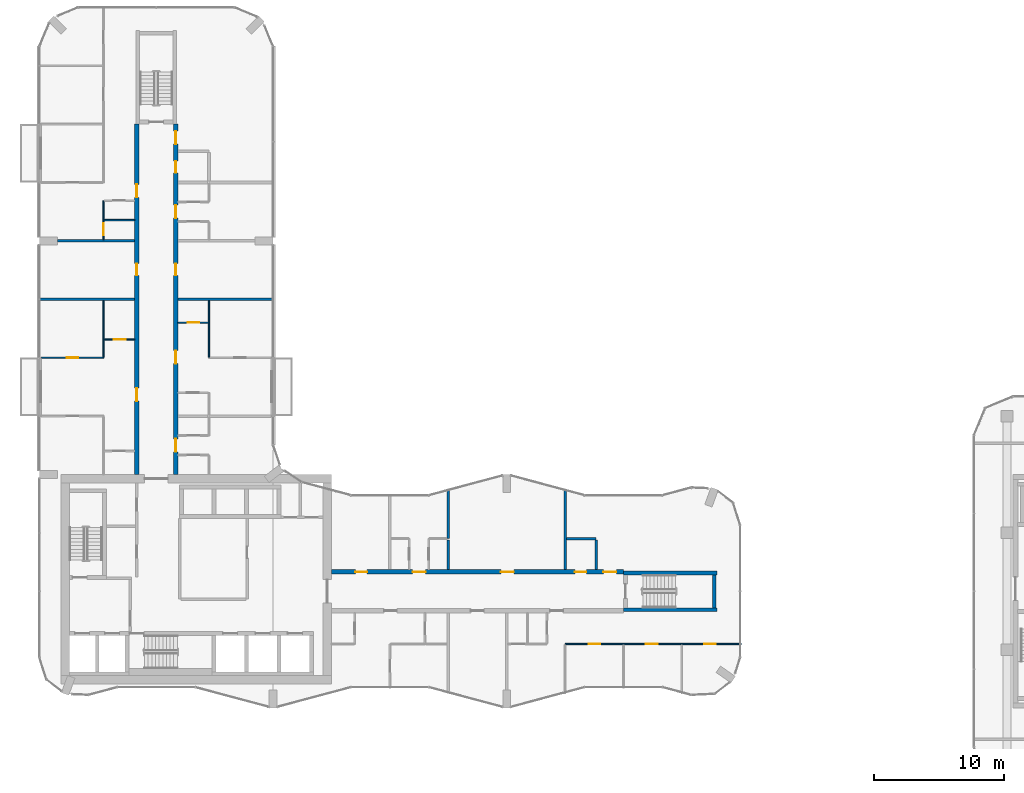
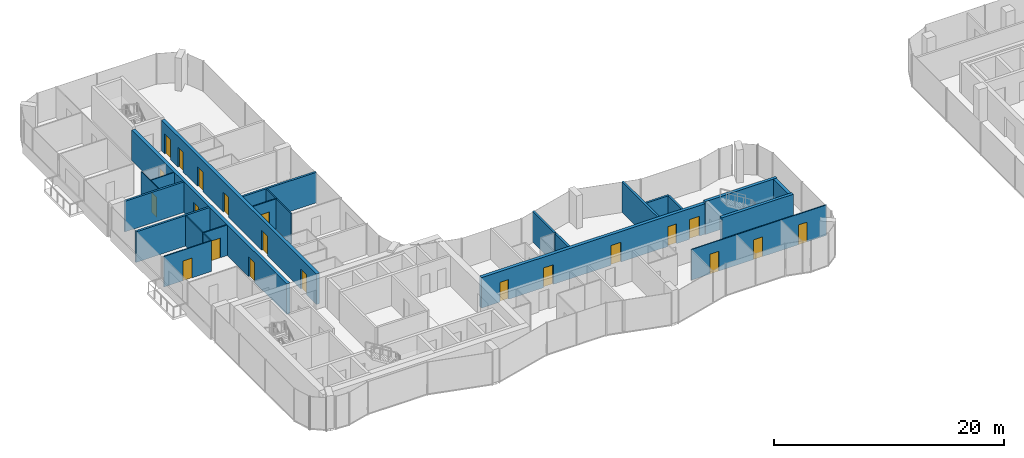
# One storey, part 15 of 22: 24 walls, 21 doors, 21 openings.
"""IFC4 building model written with IfcOpenShell, lengths in metres."""

from ifc_helpers import new_model, si_unit, direction, frame, frame_2d, origin, place, context, subcontext, project, spatial, rectangle, extrude, material, layer, layer_set, type_object, element, fill, save


model = new_model("IFC4")

# Units and contexts
model_context = context("Model", 3, precision=1e-05, world=origin(), true_north=direction((0.0, 1.0)))
body_context = subcontext(model_context, "Body", "Model", "MODEL_VIEW")
ifc_project = project(units=[si_unit("LENGTHUNIT", "METRE"), si_unit("AREAUNIT", "SQUARE_METRE"), si_unit("VOLUMEUNIT", "CUBIC_METRE"), si_unit("PLANEANGLEUNIT", "RADIAN"), si_unit("MASSUNIT", "GRAM", prefix="KILO")], contexts=[model_context])

# Site, building, storey
site_placement = place(None, origin())
site = spatial("IfcSite", under=ifc_project, at=site_placement, CompositionType="ELEMENT")
building_placement = place(site_placement, origin())
building = spatial("IfcBuilding", under=site, at=building_placement, Name="Plateau Cross Towers", CompositionType="ELEMENT")
storey_placement = place(building_placement, frame((0.0, 0.0, 113.300048828125)))
storey = spatial("IfcBuildingStorey", under=building, at=storey_placement, Name="L29", CompositionType="ELEMENT", Elevation=113.300048828125)

# Wall, openings, doors
ifc_material_1 = material(Name="Concrete C60/75", Category="concrete")
ifc_layer_1 = layer(ifc_material_1, 0.324951171875)
ifc_layer_set_1 = layer_set([ifc_layer_1], Name="Concrete C60/75")
wall_type_1 = type_object("IfcWallType", Name="Corridor wall 325", PredefinedType="SHEAR", material=ifc_layer_set_1)
wall_1_placement = place(storey_placement, frame((22.5, 10.5, 0.0), z_axis=(0.0, 0.0, 1.0), x_axis=(1.0, 0.0, 0.0)))
wall_1 = element("IfcWall", 1, at=wall_1_placement, inside=storey, type_object=wall_type_1, Name="A-cw-S2@L29", PredefinedType="SHEAR", context=body_context, shape_type="SweptSolid", body=[
    extrude(rectangle(XDim=22.5, YDim=0.324951171875, at=frame_2d((11.25, 0.0))), origin(), (0.0, 0.0, 1.0), 3.25),
])
opening_1_placement = place(wall_1_placement, frame((1.85009765625, 0.0, 0.0)))
opening_1 = element("IfcOpeningElement", 2, at=opening_1_placement, cuts=wall_1, Name="Opening 29-04", PredefinedType="OPENING", context=body_context, shape_type="SweptSolid", body=[
    extrude(rectangle(XDim=0.89990234375, YDim=2.10009765625, at=frame_2d((0.449951171875, 1.050048828125))), frame((0.0, 0.17236328125, 0.0), z_axis=(0.0, -1.0, 0.0), x_axis=(1.0, 0.0, 0.0)), (0.0, 0.0, 1.0), 0.344970703125),
])
opening_2_placement = place(wall_1_placement, frame((6.25, 0.0, 0.0)))
opening_2 = element("IfcOpeningElement", 3, at=opening_2_placement, cuts=wall_1, Name="Opening 29-05", PredefinedType="OPENING", context=body_context, shape_type="SweptSolid", body=[
    extrude(rectangle(XDim=1.0, YDim=2.10009765625, at=frame_2d((0.5, 1.050048828125))), frame((0.0, 0.17236328125, 0.0), z_axis=(0.0, -1.0, 0.0), x_axis=(1.0, 0.0, 0.0)), (0.0, 0.0, 1.0), 0.344970703125),
])
opening_3_placement = place(wall_1_placement, frame((13.050048828125, 0.0, 0.0)))
opening_3 = element("IfcOpeningElement", 4, at=opening_3_placement, cuts=wall_1, Name="Opening 29-06", PredefinedType="OPENING", context=body_context, shape_type="SweptSolid", body=[
    extrude(rectangle(XDim=1.0, YDim=2.10009765625, at=frame_2d((0.5, 1.050048828125))), frame((0.0, 0.17236328125, 0.0), z_axis=(0.0, -1.0, 0.0), x_axis=(1.0, 0.0, 0.0)), (0.0, 0.0, 1.0), 0.344970703125),
])
opening_4_placement = place(wall_1_placement, frame((18.75, 0.0, 0.0)))
opening_4 = element("IfcOpeningElement", 5, at=opening_4_placement, cuts=wall_1, Name="Opening 29-07", PredefinedType="OPENING", context=body_context, shape_type="SweptSolid", body=[
    extrude(rectangle(XDim=0.89990234375, YDim=2.10009765625, at=frame_2d((0.449951171875, 1.050048828125))), frame((0.0, 0.17236328125, 0.0), z_axis=(0.0, -1.0, 0.0), x_axis=(1.0, 0.0, 0.0)), (0.0, 0.0, 1.0), 0.344970703125),
])
opening_5_placement = place(wall_1_placement, frame((20.949951171875, 0.0, 0.0)))
opening_5 = element("IfcOpeningElement", 6, at=opening_5_placement, cuts=wall_1, Name="Opening 29-08", PredefinedType="OPENING", context=body_context, shape_type="SweptSolid", body=[
    extrude(rectangle(XDim=1.0, YDim=2.10009765625, at=frame_2d((0.5, 1.050048828125))), frame((0.0, 0.17236328125, 0.0), z_axis=(0.0, -1.0, 0.0), x_axis=(1.0, 0.0, 0.0)), (0.0, 0.0, 1.0), 0.344970703125),
])
ifc_material_2 = material(Name="Timber, fire-resisting leaf", Category="wood")
door_type_1 = type_object("IfcDoorType", Name="Flat entrance door 1000", OperationType="NOTDEFINED", PredefinedType="DOOR", material=ifc_material_2)
door_1_placement = place(opening_2_placement, origin())
door_1 = element("IfcDoor", 7, at=door_1_placement, inside=storey, type_object=door_type_1, Name="Door 29-05", OperationType="SINGLE_SWING_LEFT", OverallHeight=2.10009765625, OverallWidth=1.0, PredefinedType="DOOR", context=body_context, shape_type="SweptSolid", body=[
    extrude(rectangle(XDim=1.0, YDim=2.10009765625, at=frame_2d((0.5, 1.050048828125))), frame((0.0, 0.02490234375, 0.0), z_axis=(0.0, -1.0, 0.0), x_axis=(1.0, 0.0, 0.0)), (0.0, 0.0, 1.0), 0.050048828125),
])
fill(opening_2, door_1)
door_2_placement = place(opening_3_placement, origin())
door_2 = element("IfcDoor", 8, at=door_2_placement, inside=storey, type_object=door_type_1, Name="Door 29-06", OperationType="SINGLE_SWING_RIGHT", OverallHeight=2.10009765625, OverallWidth=1.0, PredefinedType="DOOR", context=body_context, shape_type="SweptSolid", body=[
    extrude(rectangle(XDim=1.0, YDim=2.10009765625, at=frame_2d((0.5, 1.050048828125))), frame((0.0, 0.02490234375, 0.0), z_axis=(0.0, -1.0, 0.0), x_axis=(1.0, 0.0, 0.0)), (0.0, 0.0, 1.0), 0.050048828125),
])
fill(opening_3, door_2)
door_3_placement = place(opening_5_placement, origin())
door_3 = element("IfcDoor", 9, at=door_3_placement, inside=storey, type_object=door_type_1, Name="Door 29-08", OperationType="SINGLE_SWING_RIGHT", OverallHeight=2.10009765625, OverallWidth=1.0, PredefinedType="DOOR", context=body_context, shape_type="SweptSolid", body=[
    extrude(rectangle(XDim=1.0, YDim=2.10009765625, at=frame_2d((0.5, 1.050048828125))), frame((0.0, 0.02490234375, 0.0), z_axis=(0.0, -1.0, 0.0), x_axis=(1.0, 0.0, 0.0)), (0.0, 0.0, 1.0), 0.050048828125),
])
fill(opening_5, door_3)
door_type_2 = type_object("IfcDoorType", Name="Flat floor service door 900", OperationType="NOTDEFINED", PredefinedType="DOOR", material=ifc_material_2)
door_4_placement = place(opening_1_placement, origin())
door_4 = element("IfcDoor", 10, at=door_4_placement, inside=storey, type_object=door_type_2, Name="Door 29-04", OperationType="SINGLE_SWING_LEFT", OverallHeight=2.10009765625, OverallWidth=0.89990234375, PredefinedType="DOOR", context=body_context, shape_type="SweptSolid", body=[
    extrude(rectangle(XDim=0.89990234375, YDim=2.10009765625, at=frame_2d((0.449951171875, 1.050048828125))), frame((0.0, 0.02490234375, 0.0), z_axis=(0.0, -1.0, 0.0), x_axis=(1.0, 0.0, 0.0)), (0.0, 0.0, 1.0), 0.050048828125),
])
fill(opening_1, door_4)
door_5_placement = place(opening_4_placement, origin())
door_5 = element("IfcDoor", 11, at=door_5_placement, inside=storey, type_object=door_type_2, Name="Door 29-07", OperationType="SINGLE_SWING_RIGHT", OverallHeight=2.10009765625, OverallWidth=0.89990234375, PredefinedType="DOOR", context=body_context, shape_type="SweptSolid", body=[
    extrude(rectangle(XDim=0.89990234375, YDim=2.10009765625, at=frame_2d((0.449951171875, 1.050048828125))), frame((0.0, 0.02490234375, 0.0), z_axis=(0.0, -1.0, 0.0), x_axis=(1.0, 0.0, 0.0)), (0.0, 0.0, 1.0), 0.050048828125),
])
fill(opening_4, door_5)

wall_2_placement = place(storey_placement, frame((7.5, 18.0, 0.0), z_axis=(0.0, 0.0, 1.0), x_axis=(0.0, 1.0, 0.0)))
wall_2 = element("IfcWall", 12, at=wall_2_placement, inside=storey, type_object=wall_type_1, Name="A-cw-W1@L29", PredefinedType="SHEAR", context=body_context, shape_type="SweptSolid", body=[
    extrude(rectangle(XDim=27.0, YDim=0.324951171875, at=frame_2d((13.5, 0.0))), origin(), (0.0, 0.0, 1.0), 3.25),
])
opening_6_placement = place(wall_2_placement, frame((5.64990234375, 0.0, 0.0)))
opening_6 = element("IfcOpeningElement", 13, at=opening_6_placement, cuts=wall_2, Name="Opening 29-09", PredefinedType="OPENING", context=body_context, shape_type="SweptSolid", body=[
    extrude(rectangle(XDim=1.0, YDim=2.10009765625, at=frame_2d((0.5, 1.050048828125))), frame((0.0, 0.17236328125, 0.0), z_axis=(0.0, -1.0, 0.0), x_axis=(1.0, 0.0, 0.0)), (0.0, 0.0, 1.0), 0.344970703125),
])
opening_7_placement = place(wall_2_placement, frame((15.35009765625, 0.0, 0.0)))
opening_7 = element("IfcOpeningElement", 14, at=opening_7_placement, cuts=wall_2, Name="Opening 29-10", PredefinedType="OPENING", context=body_context, shape_type="SweptSolid", body=[
    extrude(rectangle(XDim=0.89990234375, YDim=2.10009765625, at=frame_2d((0.449951171875, 1.050048828125))), frame((0.0, 0.17236328125, 0.0), z_axis=(0.0, -1.0, 0.0), x_axis=(1.0, 0.0, 0.0)), (0.0, 0.0, 1.0), 0.344970703125),
])
opening_8_placement = place(wall_2_placement, frame((21.35009765625, 0.0, 0.0)))
opening_8 = element("IfcOpeningElement", 15, at=opening_8_placement, cuts=wall_2, Name="Opening 29-11", PredefinedType="OPENING", context=body_context, shape_type="SweptSolid", body=[
    extrude(rectangle(XDim=1.0, YDim=2.10009765625, at=frame_2d((0.5, 1.050048828125))), frame((0.0, 0.17236328125, 0.0), z_axis=(0.0, -1.0, 0.0), x_axis=(1.0, 0.0, 0.0)), (0.0, 0.0, 1.0), 0.344970703125),
])
door_6_placement = place(opening_6_placement, origin())
door_6 = element("IfcDoor", 16, at=door_6_placement, inside=storey, type_object=door_type_1, Name="Door 29-09", OperationType="SINGLE_SWING_LEFT", OverallHeight=2.10009765625, OverallWidth=1.0, PredefinedType="DOOR", context=body_context, shape_type="SweptSolid", body=[
    extrude(rectangle(XDim=1.0, YDim=2.10009765625, at=frame_2d((0.5, 1.050048828125))), frame((0.0, 0.02490234375, 0.0), z_axis=(0.0, -1.0, 0.0), x_axis=(1.0, 0.0, 0.0)), (0.0, 0.0, 1.0), 0.050048828125),
])
fill(opening_6, door_6)
door_7_placement = place(opening_8_placement, origin())
door_7 = element("IfcDoor", 17, at=door_7_placement, inside=storey, type_object=door_type_1, Name="Door 29-11", OperationType="SINGLE_SWING_RIGHT", OverallHeight=2.10009765625, OverallWidth=1.0, PredefinedType="DOOR", context=body_context, shape_type="SweptSolid", body=[
    extrude(rectangle(XDim=1.0, YDim=2.10009765625, at=frame_2d((0.5, 1.050048828125))), frame((0.0, 0.02490234375, 0.0), z_axis=(0.0, -1.0, 0.0), x_axis=(1.0, 0.0, 0.0)), (0.0, 0.0, 1.0), 0.050048828125),
])
fill(opening_8, door_7)
door_8_placement = place(opening_7_placement, origin())
door_8 = element("IfcDoor", 18, at=door_8_placement, inside=storey, type_object=door_type_2, Name="Door 29-10", OperationType="SINGLE_SWING_RIGHT", OverallHeight=2.10009765625, OverallWidth=0.89990234375, PredefinedType="DOOR", context=body_context, shape_type="SweptSolid", body=[
    extrude(rectangle(XDim=0.89990234375, YDim=2.10009765625, at=frame_2d((0.449951171875, 1.050048828125))), frame((0.0, 0.02490234375, 0.0), z_axis=(0.0, -1.0, 0.0), x_axis=(1.0, 0.0, 0.0)), (0.0, 0.0, 1.0), 0.050048828125),
])
fill(opening_7, door_8)

wall_3_placement = place(storey_placement, frame((10.5, 18.0, 0.0), z_axis=(0.0, 0.0, 1.0), x_axis=(0.0, 1.0, 0.0)))
wall_3 = element("IfcWall", 19, at=wall_3_placement, inside=storey, type_object=wall_type_1, Name="A-cw-W2@L29", PredefinedType="SHEAR", context=body_context, shape_type="SweptSolid", body=[
    extrude(rectangle(XDim=27.0, YDim=0.324951171875, at=frame_2d((13.5, 0.0))), origin(), (0.0, 0.0, 1.0), 3.25),
])
opening_9_placement = place(wall_3_placement, frame((1.75, 0.0, 0.0)))
opening_9 = element("IfcOpeningElement", 20, at=opening_9_placement, cuts=wall_3, Name="Opening 29-12", PredefinedType="OPENING", context=body_context, shape_type="SweptSolid", body=[
    extrude(rectangle(XDim=1.0, YDim=2.10009765625, at=frame_2d((0.5, 1.050048828125))), frame((0.0, 0.17236328125, 0.0), z_axis=(0.0, -1.0, 0.0), x_axis=(1.0, 0.0, 0.0)), (0.0, 0.0, 1.0), 0.344970703125),
])
opening_10_placement = place(wall_3_placement, frame((8.550048828125, 0.0, 0.0)))
opening_10 = element("IfcOpeningElement", 21, at=opening_10_placement, cuts=wall_3, Name="Opening 29-13", PredefinedType="OPENING", context=body_context, shape_type="SweptSolid", body=[
    extrude(rectangle(XDim=1.0, YDim=2.10009765625, at=frame_2d((0.5, 1.050048828125))), frame((0.0, 0.17236328125, 0.0), z_axis=(0.0, -1.0, 0.0), x_axis=(1.0, 0.0, 0.0)), (0.0, 0.0, 1.0), 0.344970703125),
])
opening_11_placement = place(wall_3_placement, frame((15.35009765625, 0.0, 0.0)))
opening_11 = element("IfcOpeningElement", 22, at=opening_11_placement, cuts=wall_3, Name="Opening 29-14", PredefinedType="OPENING", context=body_context, shape_type="SweptSolid", body=[
    extrude(rectangle(XDim=0.89990234375, YDim=2.10009765625, at=frame_2d((0.449951171875, 1.050048828125))), frame((0.0, 0.17236328125, 0.0), z_axis=(0.0, -1.0, 0.0), x_axis=(1.0, 0.0, 0.0)), (0.0, 0.0, 1.0), 0.344970703125),
])
opening_12_placement = place(wall_3_placement, frame((19.75, 0.0, 0.0)))
opening_12 = element("IfcOpeningElement", 23, at=opening_12_placement, cuts=wall_3, Name="Opening 29-15", PredefinedType="OPENING", context=body_context, shape_type="SweptSolid", body=[
    extrude(rectangle(XDim=1.0, YDim=2.10009765625, at=frame_2d((0.5, 1.050048828125))), frame((0.0, 0.17236328125, 0.0), z_axis=(0.0, -1.0, 0.0), x_axis=(1.0, 0.0, 0.0)), (0.0, 0.0, 1.0), 0.344970703125),
])
opening_13_placement = place(wall_3_placement, frame((23.25, 0.0, 0.0)))
opening_13 = element("IfcOpeningElement", 24, at=opening_13_placement, cuts=wall_3, Name="Opening 29-16", PredefinedType="OPENING", context=body_context, shape_type="SweptSolid", body=[
    extrude(rectangle(XDim=0.89990234375, YDim=2.10009765625, at=frame_2d((0.449951171875, 1.050048828125))), frame((0.0, 0.17236328125, 0.0), z_axis=(0.0, -1.0, 0.0), x_axis=(1.0, 0.0, 0.0)), (0.0, 0.0, 1.0), 0.344970703125),
])
opening_14_placement = place(wall_3_placement, frame((25.449951171875, 0.0, 0.0)))
opening_14 = element("IfcOpeningElement", 25, at=opening_14_placement, cuts=wall_3, Name="Opening 29-17", PredefinedType="OPENING", context=body_context, shape_type="SweptSolid", body=[
    extrude(rectangle(XDim=1.0, YDim=2.10009765625, at=frame_2d((0.5, 1.050048828125))), frame((0.0, 0.17236328125, 0.0), z_axis=(0.0, -1.0, 0.0), x_axis=(1.0, 0.0, 0.0)), (0.0, 0.0, 1.0), 0.344970703125),
])
door_9_placement = place(opening_9_placement, origin())
door_9 = element("IfcDoor", 26, at=door_9_placement, inside=storey, type_object=door_type_1, Name="Door 29-12", OperationType="SINGLE_SWING_LEFT", OverallHeight=2.10009765625, OverallWidth=1.0, PredefinedType="DOOR", context=body_context, shape_type="SweptSolid", body=[
    extrude(rectangle(XDim=1.0, YDim=2.10009765625, at=frame_2d((0.5, 1.050048828125))), frame((0.0, 0.02490234375, 0.0), z_axis=(0.0, -1.0, 0.0), x_axis=(1.0, 0.0, 0.0)), (0.0, 0.0, 1.0), 0.050048828125),
])
fill(opening_9, door_9)
door_10_placement = place(opening_10_placement, origin())
door_10 = element("IfcDoor", 27, at=door_10_placement, inside=storey, type_object=door_type_1, Name="Door 29-13", OperationType="SINGLE_SWING_LEFT", OverallHeight=2.10009765625, OverallWidth=1.0, PredefinedType="DOOR", context=body_context, shape_type="SweptSolid", body=[
    extrude(rectangle(XDim=1.0, YDim=2.10009765625, at=frame_2d((0.5, 1.050048828125))), frame((0.0, 0.02490234375, 0.0), z_axis=(0.0, -1.0, 0.0), x_axis=(1.0, 0.0, 0.0)), (0.0, 0.0, 1.0), 0.050048828125),
])
fill(opening_10, door_10)
door_11_placement = place(opening_12_placement, origin())
door_11 = element("IfcDoor", 28, at=door_11_placement, inside=storey, type_object=door_type_1, Name="Door 29-15", OperationType="SINGLE_SWING_RIGHT", OverallHeight=2.10009765625, OverallWidth=1.0, PredefinedType="DOOR", context=body_context, shape_type="SweptSolid", body=[
    extrude(rectangle(XDim=1.0, YDim=2.10009765625, at=frame_2d((0.5, 1.050048828125))), frame((0.0, 0.02490234375, 0.0), z_axis=(0.0, -1.0, 0.0), x_axis=(1.0, 0.0, 0.0)), (0.0, 0.0, 1.0), 0.050048828125),
])
fill(opening_12, door_11)
door_12_placement = place(opening_14_placement, origin())
door_12 = element("IfcDoor", 29, at=door_12_placement, inside=storey, type_object=door_type_1, Name="Door 29-17", OperationType="SINGLE_SWING_RIGHT", OverallHeight=2.10009765625, OverallWidth=1.0, PredefinedType="DOOR", context=body_context, shape_type="SweptSolid", body=[
    extrude(rectangle(XDim=1.0, YDim=2.10009765625, at=frame_2d((0.5, 1.050048828125))), frame((0.0, 0.02490234375, 0.0), z_axis=(0.0, -1.0, 0.0), x_axis=(1.0, 0.0, 0.0)), (0.0, 0.0, 1.0), 0.050048828125),
])
fill(opening_14, door_12)
door_13_placement = place(opening_11_placement, origin())
door_13 = element("IfcDoor", 30, at=door_13_placement, inside=storey, type_object=door_type_2, Name="Door 29-14", OperationType="SINGLE_SWING_RIGHT", OverallHeight=2.10009765625, OverallWidth=0.89990234375, PredefinedType="DOOR", context=body_context, shape_type="SweptSolid", body=[
    extrude(rectangle(XDim=0.89990234375, YDim=2.10009765625, at=frame_2d((0.449951171875, 1.050048828125))), frame((0.0, 0.02490234375, 0.0), z_axis=(0.0, -1.0, 0.0), x_axis=(1.0, 0.0, 0.0)), (0.0, 0.0, 1.0), 0.050048828125),
])
fill(opening_11, door_13)
door_14_placement = place(opening_13_placement, origin())
door_14 = element("IfcDoor", 31, at=door_14_placement, inside=storey, type_object=door_type_2, Name="Door 29-16", OperationType="SINGLE_SWING_RIGHT", OverallHeight=2.10009765625, OverallWidth=0.89990234375, PredefinedType="DOOR", context=body_context, shape_type="SweptSolid", body=[
    extrude(rectangle(XDim=0.89990234375, YDim=2.10009765625, at=frame_2d((0.449951171875, 1.050048828125))), frame((0.0, 0.02490234375, 0.0), z_axis=(0.0, -1.0, 0.0), x_axis=(1.0, 0.0, 0.0)), (0.0, 0.0, 1.0), 0.050048828125),
])
fill(opening_13, door_14)

ifc_material_3 = material(Name="Gypsum board on steel studs", Category="steel")
ifc_layer_2 = layer(ifc_material_3, 0.10009765625)
ifc_layer_set_2 = layer_set([ifc_layer_2], Name="Gypsum board on steel studs")
wall_type_2 = type_object("IfcWallType", Name="Flat partition 100", PredefinedType="PARTITIONING", material=ifc_layer_set_2)
wall_4_placement = place(storey_placement, frame((54.080078125, 4.9375, 0.0), z_axis=(0.0, 0.0, 1.0), x_axis=(-1.0, 0.0, 0.0)))
wall_4 = element("IfcWall", 32, at=wall_4_placement, inside=storey, type_object=wall_type_2, Name="Partition wall", PredefinedType="PARTITIONING", context=body_context, shape_type="SweptSolid", body=[
    extrude(rectangle(XDim=13.580078125, YDim=0.10009765625, at=frame_2d((6.7900390625, 0.0))), origin(), (0.0, 0.0, 1.0), 3.25),
])
opening_15_placement = place(wall_4_placement, frame((10.85009765625, 0.0, 0.0)))
opening_15 = element("IfcOpeningElement", 33, at=opening_15_placement, cuts=wall_4, Name="Opening 29-23", PredefinedType="OPENING", context=body_context, shape_type="SweptSolid", body=[
    extrude(rectangle(XDim=0.89990234375, YDim=2.10009765625, at=frame_2d((0.449951171875, 1.050048828125))), frame((0.0, 0.06005859375, 0.0), z_axis=(0.0, -1.0, 0.0), x_axis=(1.0, 0.0, 0.0)), (0.0, 0.0, 1.0), 0.1201171875),
])
opening_16_placement = place(wall_4_placement, frame((6.449951171875, 0.0, 0.0)))
opening_16 = element("IfcOpeningElement", 34, at=opening_16_placement, cuts=wall_4, Name="Opening 29-24", PredefinedType="OPENING", context=body_context, shape_type="SweptSolid", body=[
    extrude(rectangle(XDim=0.89990234375, YDim=2.10009765625, at=frame_2d((0.449951171875, 1.050048828125))), frame((0.0, 0.06005859375, 0.0), z_axis=(0.0, -1.0, 0.0), x_axis=(1.0, 0.0, 0.0)), (0.0, 0.0, 1.0), 0.1201171875),
])
opening_17_placement = place(wall_4_placement, frame((1.949951171875, 0.0, 0.0)))
opening_17 = element("IfcOpeningElement", 35, at=opening_17_placement, cuts=wall_4, Name="Opening 29-25", PredefinedType="OPENING", context=body_context, shape_type="SweptSolid", body=[
    extrude(rectangle(XDim=0.89990234375, YDim=2.10009765625, at=frame_2d((0.449951171875, 1.050048828125))), frame((0.0, 0.06005859375, 0.0), z_axis=(0.0, -1.0, 0.0), x_axis=(1.0, 0.0, 0.0)), (0.0, 0.0, 1.0), 0.1201171875),
])
ifc_material_4 = material(Name="Timber leaf", Category="wood")
door_type_3 = type_object("IfcDoorType", Name="Flat room door 900", OperationType="NOTDEFINED", PredefinedType="DOOR", material=ifc_material_4)
door_15_placement = place(opening_15_placement, origin())
door_15 = element("IfcDoor", 36, at=door_15_placement, inside=storey, type_object=door_type_3, Name="Door 29-23", OperationType="SINGLE_SWING_RIGHT", OverallHeight=2.10009765625, OverallWidth=0.89990234375, PredefinedType="DOOR", context=body_context, shape_type="SweptSolid", body=[
    extrude(rectangle(XDim=0.89990234375, YDim=2.10009765625, at=frame_2d((0.449951171875, 1.050048828125))), frame((0.0, 0.02490234375, 0.0), z_axis=(0.0, -1.0, 0.0), x_axis=(1.0, 0.0, 0.0)), (0.0, 0.0, 1.0), 0.050048828125),
])
fill(opening_15, door_15)
door_16_placement = place(opening_16_placement, origin())
door_16 = element("IfcDoor", 37, at=door_16_placement, inside=storey, type_object=door_type_3, Name="Door 29-24", OperationType="SINGLE_SWING_RIGHT", OverallHeight=2.10009765625, OverallWidth=0.89990234375, PredefinedType="DOOR", context=body_context, shape_type="SweptSolid", body=[
    extrude(rectangle(XDim=0.89990234375, YDim=2.10009765625, at=frame_2d((0.449951171875, 1.050048828125))), frame((0.0, 0.02490234375, 0.0), z_axis=(0.0, -1.0, 0.0), x_axis=(1.0, 0.0, 0.0)), (0.0, 0.0, 1.0), 0.050048828125),
])
fill(opening_16, door_16)
door_17_placement = place(opening_17_placement, origin())
door_17 = element("IfcDoor", 38, at=door_17_placement, inside=storey, type_object=door_type_3, Name="Door 29-25", OperationType="SINGLE_SWING_LEFT", OverallHeight=2.10009765625, OverallWidth=0.89990234375, PredefinedType="DOOR", context=body_context, shape_type="SweptSolid", body=[
    extrude(rectangle(XDim=0.89990234375, YDim=2.10009765625, at=frame_2d((0.449951171875, 1.050048828125))), frame((0.0, 0.02490234375, 0.0), z_axis=(0.0, -1.0, 0.0), x_axis=(1.0, 0.0, 0.0)), (0.0, 0.0, 1.0), 0.050048828125),
])
fill(opening_17, door_17)

# Wall, opening, door
wall_5_placement = place(storey_placement, frame((0.14990234375, 27.0, 0.0), z_axis=(0.0, 0.0, 1.0), x_axis=(1.0, 0.0, 0.0)))
wall_5 = element("IfcWall", 39, at=wall_5_placement, inside=storey, type_object=wall_type_2, Name="Partition wall", PredefinedType="PARTITIONING", context=body_context, shape_type="SweptSolid", body=[
    extrude(rectangle(XDim=4.78759765625, YDim=0.10009765625, at=frame_2d((2.393798828125, 0.0))), origin(), (0.0, 0.0, 1.0), 3.25),
])
opening_18_placement = place(wall_5_placement, frame((1.949951171875, 0.0, 0.0)))
opening_18 = element("IfcOpeningElement", 40, at=opening_18_placement, cuts=wall_5, Name="Opening 29-31", PredefinedType="OPENING", context=body_context, shape_type="SweptSolid", body=[
    extrude(rectangle(XDim=0.89990234375, YDim=2.10009765625, at=frame_2d((0.449951171875, 1.050048828125))), frame((0.0, 0.06005859375, 0.0), z_axis=(0.0, -1.0, 0.0), x_axis=(1.0, 0.0, 0.0)), (0.0, 0.0, 1.0), 0.1201171875),
])
door_18_placement = place(opening_18_placement, origin())
door_18 = element("IfcDoor", 41, at=door_18_placement, inside=storey, type_object=door_type_3, Name="Door 29-31", OperationType="SINGLE_SWING_RIGHT", OverallHeight=2.10009765625, OverallWidth=0.89990234375, PredefinedType="DOOR", context=body_context, shape_type="SweptSolid", body=[
    extrude(rectangle(XDim=0.89990234375, YDim=2.10009765625, at=frame_2d((0.449951171875, 1.050048828125))), frame((0.0, 0.02490234375, 0.0), z_axis=(0.0, -1.0, 0.0), x_axis=(1.0, 0.0, 0.0)), (0.0, 0.0, 1.0), 0.050048828125),
])
fill(opening_18, door_18)

wall_6_placement = place(storey_placement, frame((4.987548828125, 28.39990234375, 0.0), z_axis=(0.0, 0.0, 1.0), x_axis=(1.0, 0.0, 0.0)))
wall_6 = element("IfcWall", 42, at=wall_6_placement, inside=storey, type_object=wall_type_2, Name="Partition wall", PredefinedType="PARTITIONING", context=body_context, shape_type="SweptSolid", body=[
    extrude(rectangle(XDim=2.349853515625, YDim=0.10009765625, at=frame_2d((1.1748046875, 0.0))), origin(), (0.0, 0.0, 1.0), 3.25),
])
opening_19_placement = place(wall_6_placement, frame((0.75, 0.0, 0.0)))
opening_19 = element("IfcOpeningElement", 43, at=opening_19_placement, cuts=wall_6, Name="Opening 29-29", PredefinedType="OPENING", context=body_context, shape_type="SweptSolid", body=[
    extrude(rectangle(XDim=0.89990234375, YDim=2.10009765625, at=frame_2d((0.449951171875, 1.050048828125))), frame((0.0, 0.06005859375, 0.0), z_axis=(0.0, -1.0, 0.0), x_axis=(1.0, 0.0, 0.0)), (0.0, 0.0, 1.0), 0.1201171875),
])
door_19_placement = place(opening_19_placement, origin())
door_19 = element("IfcDoor", 44, at=door_19_placement, inside=storey, type_object=door_type_3, Name="Door 29-29", OperationType="SINGLE_SWING_RIGHT", OverallHeight=2.10009765625, OverallWidth=0.89990234375, PredefinedType="DOOR", context=body_context, shape_type="SweptSolid", body=[
    extrude(rectangle(XDim=0.89990234375, YDim=2.10009765625, at=frame_2d((0.449951171875, 1.050048828125))), frame((0.0, 0.02490234375, 0.0), z_axis=(0.0, -1.0, 0.0), x_axis=(1.0, 0.0, 0.0)), (0.0, 0.0, 1.0), 0.050048828125),
])
fill(opening_19, door_19)

wall_7_placement = place(storey_placement, frame((10.66259765625, 29.699951171875, 0.0), z_axis=(0.0, 0.0, 1.0), x_axis=(1.0, 0.0, 0.0)))
wall_7 = element("IfcWall", 45, at=wall_7_placement, inside=storey, type_object=wall_type_2, Name="Partition wall", PredefinedType="PARTITIONING", context=body_context, shape_type="SweptSolid", body=[
    extrude(rectangle(XDim=2.349853515625, YDim=0.10009765625, at=frame_2d((1.1748046875, 0.0))), origin(), (0.0, 0.0, 1.0), 3.25),
])
opening_20_placement = place(wall_7_placement, frame((0.75, 0.0, 0.0)))
opening_20 = element("IfcOpeningElement", 46, at=opening_20_placement, cuts=wall_7, Name="Opening 29-40", PredefinedType="OPENING", context=body_context, shape_type="SweptSolid", body=[
    extrude(rectangle(XDim=0.89990234375, YDim=2.10009765625, at=frame_2d((0.449951171875, 1.050048828125))), frame((0.0, 0.06005859375, 0.0), z_axis=(0.0, -1.0, 0.0), x_axis=(1.0, 0.0, 0.0)), (0.0, 0.0, 1.0), 0.1201171875),
])
door_20_placement = place(opening_20_placement, origin())
door_20 = element("IfcDoor", 47, at=door_20_placement, inside=storey, type_object=door_type_3, Name="Door 29-40", OperationType="SINGLE_SWING_RIGHT", OverallHeight=2.10009765625, OverallWidth=0.89990234375, PredefinedType="DOOR", context=body_context, shape_type="SweptSolid", body=[
    extrude(rectangle(XDim=0.89990234375, YDim=2.10009765625, at=frame_2d((0.449951171875, 1.050048828125))), frame((0.0, 0.02490234375, 0.0), z_axis=(0.0, -1.0, 0.0), x_axis=(1.0, 0.0, 0.0)), (0.0, 0.0, 1.0), 0.050048828125),
])
fill(opening_20, door_20)

# Walls
wall_8_placement = place(storey_placement, frame((7.33740234375, 37.60009765625, 0.0), z_axis=(0.0, 0.0, 1.0), x_axis=(-1.0, 0.0, 0.0)))
element("IfcWall", 48, at=wall_8_placement, inside=storey, type_object=wall_type_2, Name="Partition wall", PredefinedType="PARTITIONING", context=body_context, shape_type="SweptSolid", body=[
    extrude(rectangle(XDim=2.349853515625, YDim=0.10009765625, at=frame_2d((1.1748046875, 0.0))), origin(), (0.0, 0.0, 1.0), 3.25),
])
wall_9_placement = place(storey_placement, frame((4.9375, 31.39990234375, 0.0), z_axis=(0.0, 0.0, 1.0), x_axis=(0.0, -1.0, 0.0)))
element("IfcWall", 49, at=wall_9_placement, inside=storey, type_object=wall_type_2, Name="Partition wall", PredefinedType="PARTITIONING", context=body_context, shape_type="SweptSolid", body=[
    extrude(rectangle(XDim=3.0, YDim=0.10009765625, at=frame_2d((1.5, 0.0))), origin(), (0.0, 0.0, 1.0), 3.25),
])

# Wall, opening, door
wall_10_placement = place(storey_placement, frame((4.9375, 39.10009765625, 0.0), z_axis=(0.0, 0.0, 1.0), x_axis=(0.0, -1.0, 0.0)))
wall_10 = element("IfcWall", 50, at=wall_10_placement, inside=storey, type_object=wall_type_2, Name="Partition wall", PredefinedType="PARTITIONING", context=body_context, shape_type="SweptSolid", body=[
    extrude(rectangle(XDim=3.0, YDim=0.10009765625, at=frame_2d((1.5, 0.0))), origin(), (0.0, 0.0, 1.0), 3.25),
])
opening_21_placement = place(wall_10_placement, frame((1.75, 0.0, 0.0)))
opening_21 = element("IfcOpeningElement", 51, at=opening_21_placement, cuts=wall_10, Name="Opening 29-32", PredefinedType="OPENING", context=body_context, shape_type="SweptSolid", body=[
    extrude(rectangle(XDim=0.89990234375, YDim=2.10009765625, at=frame_2d((0.449951171875, 1.050048828125))), frame((0.0, 0.06005859375, 0.0), z_axis=(0.0, -1.0, 0.0), x_axis=(1.0, 0.0, 0.0)), (0.0, 0.0, 1.0), 0.1201171875),
])
door_21_placement = place(opening_21_placement, origin())
door_21 = element("IfcDoor", 52, at=door_21_placement, inside=storey, type_object=door_type_3, Name="Door 29-32", OperationType="SINGLE_SWING_RIGHT", OverallHeight=2.10009765625, OverallWidth=0.89990234375, PredefinedType="DOOR", context=body_context, shape_type="SweptSolid", body=[
    extrude(rectangle(XDim=0.89990234375, YDim=2.10009765625, at=frame_2d((0.449951171875, 1.050048828125))), frame((0.0, 0.02490234375, 0.0), z_axis=(0.0, -1.0, 0.0), x_axis=(1.0, 0.0, 0.0)), (0.0, 0.0, 1.0), 0.050048828125),
])
fill(opening_21, door_21)

# Walls
wall_11_placement = place(storey_placement, frame((4.9375, 27.050048828125, 0.0), z_axis=(0.0, 0.0, 1.0), x_axis=(0.0, 1.0, 0.0)))
element("IfcWall", 53, at=wall_11_placement, inside=storey, type_object=wall_type_2, Name="Partition wall", PredefinedType="PARTITIONING", context=body_context, shape_type="SweptSolid", body=[
    extrude(rectangle(XDim=1.300048828125, YDim=0.10009765625, at=frame_2d((0.64990234375, 0.0))), origin(), (0.0, 0.0, 1.0), 3.25),
])
wall_12_placement = place(storey_placement, frame((13.0625, 29.699951171875, 0.0), z_axis=(0.0, 0.0, 1.0), x_axis=(0.0, -1.0, 0.0)))
element("IfcWall", 54, at=wall_12_placement, inside=storey, type_object=wall_type_2, Name="Partition wall", PredefinedType="PARTITIONING", context=body_context, shape_type="SweptSolid", body=[
    extrude(rectangle(XDim=2.64990234375, YDim=0.10009765625, at=frame_2d((1.324951171875, 0.0))), origin(), (0.0, 0.0, 1.0), 3.25),
])
wall_13_placement = place(storey_placement, frame((13.0625, 29.75, 0.0), z_axis=(0.0, 0.0, 1.0), x_axis=(0.0, 1.0, 0.0)))
element("IfcWall", 55, at=wall_13_placement, inside=storey, type_object=wall_type_2, Name="Partition wall", PredefinedType="PARTITIONING", context=body_context, shape_type="SweptSolid", body=[
    extrude(rectangle(XDim=1.64990234375, YDim=0.10009765625, at=frame_2d((0.824951171875, 0.0))), origin(), (0.0, 0.0, 1.0), 3.25),
])
ifc_material_5 = material(Name="Gypsum board on steel studs, two layers each side", Category="steel")
ifc_layer_3 = layer(ifc_material_5, 0.199951171875)
ifc_layer_set_3 = layer_set([ifc_layer_3], Name="Gypsum board on steel studs, two layers each side")
wall_type_3 = type_object("IfcWallType", Name="Flat party wall 200", PredefinedType="PARTITIONING", material=ifc_layer_set_3)
wall_14_placement = place(storey_placement, frame((42.89990234375, 13.0625, 0.0), z_axis=(0.0, 0.0, 1.0), x_axis=(-1.0, 0.0, 0.0)))
element("IfcWall", 56, at=wall_14_placement, inside=storey, type_object=wall_type_3, Name="Party wall", PredefinedType="PARTITIONING", context=body_context, shape_type="SweptSolid", body=[
    extrude(rectangle(XDim=2.2998046875, YDim=0.199951171875, at=frame_2d((1.14990234375, 0.0))), origin(), (0.0, 0.0, 1.0), 3.25),
])
for number, where, z_axis, x_axis, name in (
    (57, (7.33740234375, 31.5, 0.0), (0.0, 0.0, 1.0), (-1.0, 0.0, 0.0), "Party wall"),
    (58, (18.080078125, 31.5, 0.0), (0.0, 0.0, 1.0), (-1.0, 0.0, 0.0), "Party wall"),
):
    element("IfcWall", number, at=place(storey_placement, frame(where, z_axis=z_axis, x_axis=x_axis)), inside=storey, type_object=wall_type_3, Name=name, PredefinedType="PARTITIONING", context=body_context, shape_type="SweptSolid", body=[
        extrude(rectangle(XDim=7.41748046875, YDim=0.199951171875, at=frame_2d((3.708740234375, 0.0))), origin(), (0.0, 0.0, 1.0), 3.25),
    ])
wall_15_placement = place(storey_placement, frame((7.33740234375, 36.0, 0.0), z_axis=(0.0, 0.0, 1.0), x_axis=(-1.0, 0.0, 0.0)))
element("IfcWall", 59, at=wall_15_placement, inside=storey, type_object=wall_type_3, Name="Party wall", PredefinedType="PARTITIONING", context=body_context, shape_type="SweptSolid", body=[
    extrude(rectangle(XDim=5.9375, YDim=0.199951171875, at=frame_2d((2.96875, 0.0))), origin(), (0.0, 0.0, 1.0), 3.25),
])
wall_16_placement = place(storey_placement, frame((31.5, 16.877685546875, 0.0), z_axis=(0.0, 0.0, 1.0), x_axis=(0.0, -1.0, 0.0)))
element("IfcWall", 60, at=wall_16_placement, inside=storey, type_object=wall_type_3, Name="Party wall", PredefinedType="PARTITIONING", context=body_context, shape_type="SweptSolid", body=[
    extrude(rectangle(XDim=3.815185546875, YDim=0.199951171875, at=frame_2d((1.90771484375, 0.0))), origin(), (0.0, 0.0, 1.0), 3.25),
])
wall_17_placement = place(storey_placement, frame((31.5, 10.66259765625, 0.0), z_axis=(0.0, 0.0, 1.0), x_axis=(0.0, 1.0, 0.0)))
element("IfcWall", 61, at=wall_17_placement, inside=storey, type_object=wall_type_3, Name="Party wall", PredefinedType="PARTITIONING", context=body_context, shape_type="SweptSolid", body=[
    extrude(rectangle(XDim=2.2998046875, YDim=0.199951171875, at=frame_2d((1.14990234375, 0.0))), origin(), (0.0, 0.0, 1.0), 3.25),
])
wall_18_placement = place(storey_placement, frame((40.5, 10.66259765625, 0.0), z_axis=(0.0, 0.0, 1.0), x_axis=(0.0, 1.0, 0.0)))
element("IfcWall", 62, at=wall_18_placement, inside=storey, type_object=wall_type_3, Name="Party wall", PredefinedType="PARTITIONING", context=body_context, shape_type="SweptSolid", body=[
    extrude(rectangle(XDim=6.215087890625, YDim=0.199951171875, at=frame_2d((3.107421875, 0.0))), origin(), (0.0, 0.0, 1.0), 3.25),
])
wall_19_placement = place(storey_placement, frame((42.89990234375, 10.66259765625, 0.0), z_axis=(0.0, 0.0, 1.0), x_axis=(0.0, 1.0, 0.0)))
element("IfcWall", 63, at=wall_19_placement, inside=storey, type_object=wall_type_3, Name="Party wall", PredefinedType="PARTITIONING", context=body_context, shape_type="SweptSolid", body=[
    extrude(rectangle(XDim=2.2998046875, YDim=0.199951171875, at=frame_2d((1.14990234375, 0.0))), origin(), (0.0, 0.0, 1.0), 3.25),
])
ifc_layer_4 = layer(ifc_material_1, 0.300048828125)
ifc_layer_set_4 = layer_set([ifc_layer_4], Name="Concrete C60/75")
wall_type_4 = type_object("IfcWallType", Name="Stair tower wall 300", PredefinedType="SHEAR", material=ifc_layer_set_4)
wall_20_placement = place(storey_placement, frame((52.0, 7.72509765625, 0.0), z_axis=(0.0, 0.0, 1.0), x_axis=(0.0, 1.0, 0.0)))
element("IfcWall", 64, at=wall_20_placement, inside=storey, type_object=wall_type_4, Name="A-end-E-E@L29", PredefinedType="SHEAR", context=body_context, shape_type="SweptSolid", body=[
    extrude(rectangle(XDim=2.5498046875, YDim=0.300048828125, at=frame_2d((1.27490234375, 0.0))), origin(), (0.0, 0.0, 1.0), 3.5),
])
for number, where, z_axis, x_axis, name in (
    (65, (45.0, 7.574951171875, 0.0), (0.0, 0.0, 1.0), (1.0, 0.0, 0.0), "A-end-E-S@L29"),
    (66, (45.0, 10.425048828125, 0.0), (0.0, 0.0, 1.0), (1.0, 0.0, 0.0), "A-end-E-N@L29"),
):
    element("IfcWall", number, at=place(storey_placement, frame(where, z_axis=z_axis, x_axis=x_axis)), inside=storey, type_object=wall_type_4, Name=name, PredefinedType="SHEAR", context=body_context, shape_type="SweptSolid", body=[
        extrude(rectangle(XDim=7.199951171875, YDim=0.300048828125, at=frame_2d((3.60009765625, 0.0))), origin(), (0.0, 0.0, 1.0), 3.5),
    ])

save(model, "model.ifc")
